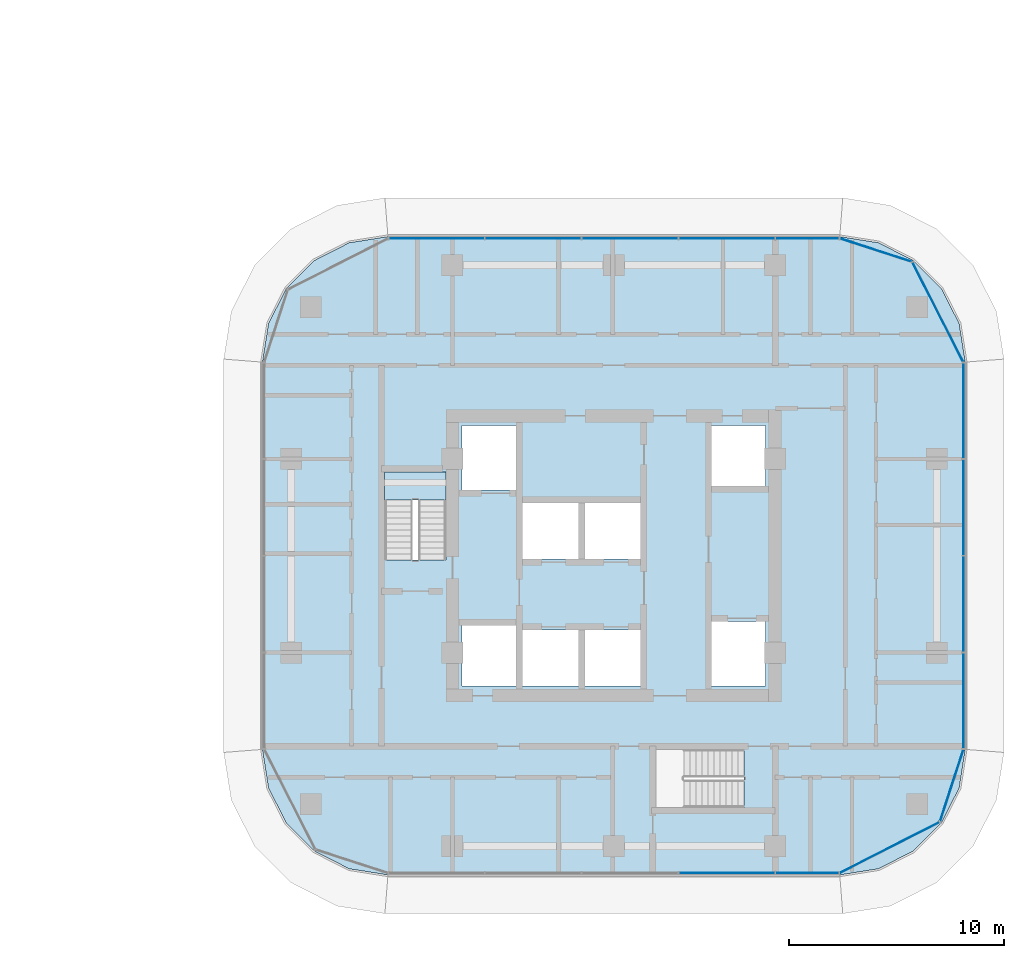
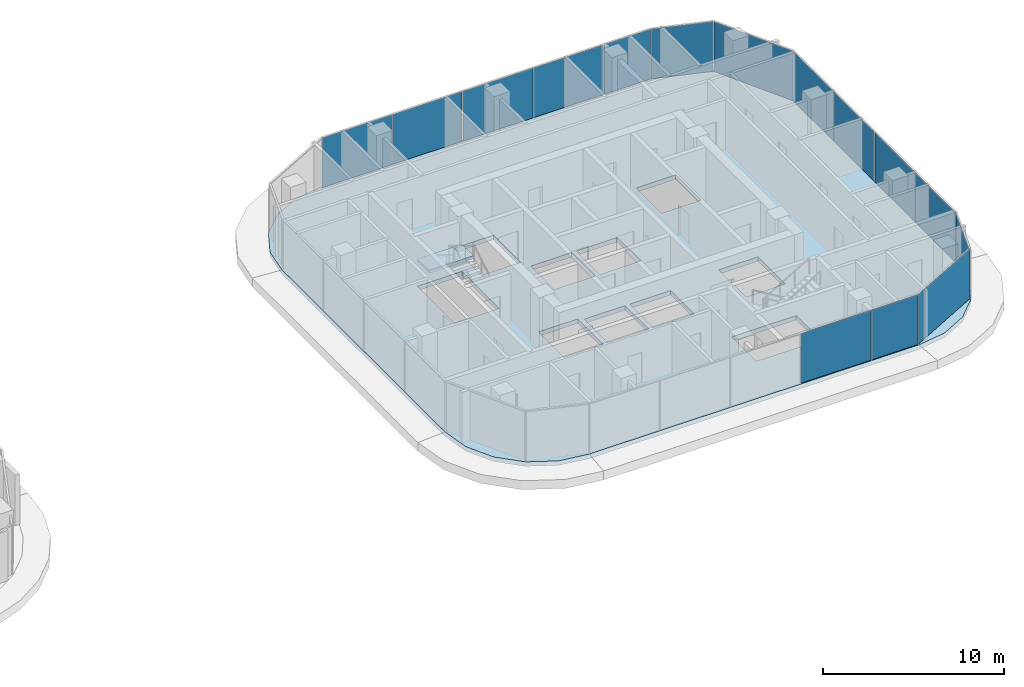
# One storey, part 18 of 39: 15 plates, 2 slabs, 6 elements without a shape of their own.
"""IFC4 building model written with IfcOpenShell, lengths in metres."""

import ifcopenshell
import ifcopenshell.guid

model = None  # the IFC model being written
_history = None  # IfcOwnerHistory: only IFC2X3 demands one
_inside = {}  # id of a spatial element -> (the spatial element, [elements in it])
_under = {}  # id of a project, library or spatial element -> (it, [spatial elements below it])
_declared = {}  # id of a project -> (the project, [libraries it declares])
_typed = {}  # id of a type object -> (the type object, [elements of that type])
_made_of = {}  # id of a material, layer set ... -> (it, [elements and type objects made of it])


def new_model(schema):
    """Start an empty IFC model of exactly this schema.

    Asked for "IFC4X3", IfcOpenShell would pick the latest addendum, in which some entities
    have other attributes; the version numbers below select the first issue.
    IFC2X3 requires an IfcOwnerHistory on every rooted entity: one is made here for all.
    """
    global model, _history
    if schema == "IFC4X3":
        model = ifcopenshell.file(schema_version=(4, 3, 0, 0))
    else:
        model = ifcopenshell.file(schema=schema)
    _inside.clear()
    _under.clear()
    _declared.clear()
    _typed.clear()
    _made_of.clear()
    _history = None
    if model.schema == "IFC2X3":
        org = make("IfcOrganization", Name="unknown")
        user = make(
            "IfcPersonAndOrganization",
            ThePerson=make("IfcPerson", FamilyName="unknown"),
            TheOrganization=org,
        )
        app = make(
            "IfcApplication",
            ApplicationDeveloper=org,
            Version="unknown",
            ApplicationFullName="unknown",
            ApplicationIdentifier="unknown",
        )
        _history = make(
            "IfcOwnerHistory",
            OwningUser=user,
            OwningApplication=app,
            ChangeAction="ADDED",
            CreationDate=0,
        )
    return model


def make(cls, **values):
    """One entity of the class cls with the attributes given. An attribute that is None is left unset."""
    return model.create_entity(
        cls, **{name: value for name, value in values.items() if value is not None}
    )


def rooted(cls, **values):
    """An entity with a GlobalId (a new one), such as an element, a storey or a relation."""
    return make(cls, GlobalId=ifcopenshell.guid.new(), OwnerHistory=_history, **values)


def si_unit(unit_type, name, prefix=None):
    """IfcSIUnit, for example si_unit("LENGTHUNIT", "METRE", prefix="MILLI")."""
    return make("IfcSIUnit", UnitType=unit_type, Prefix=prefix, Name=name)


def assignment(units):
    """IfcUnitAssignment: the units of a project."""
    return None if units is None else make("IfcUnitAssignment", Units=units)


def point(xyz):
    """IfcCartesianPoint."""
    return None if xyz is None else make("IfcCartesianPoint", Coordinates=xyz)


def direction(xyz):
    """IfcDirection."""
    return None if xyz is None else make("IfcDirection", DirectionRatios=xyz)


def frame(location, z_axis=None, x_axis=None):
    """IfcAxis2Placement3D, a coordinate frame: its origin and axes. An axis left out is left unset."""
    return make(
        "IfcAxis2Placement3D",
        Location=point(location),
        Axis=direction(z_axis),
        RefDirection=direction(x_axis),
    )


def frame_2d(location, x_axis=None):
    """IfcAxis2Placement2D, a coordinate frame in the plane: its origin and x axis."""
    return make(
        "IfcAxis2Placement2D", Location=point(location), RefDirection=direction(x_axis)
    )


def origin():
    """The frame at (0, 0, 0) with its axes left unset."""
    return frame((0.0, 0.0, 0.0))


def origin_2d():
    """The frame at (0, 0) in the plane with its x axis left unset."""
    return frame_2d((0.0, 0.0))


def place(relative_to, where):
    """IfcLocalPlacement: puts the frame where relative to a parent placement (None: the world)."""
    return make(
        "IfcLocalPlacement", PlacementRelTo=relative_to, RelativePlacement=where
    )


def context(
    kind, dimensions, precision=None, world=None, true_north=None, identifier=None
):
    """IfcGeometricRepresentationContext, for example the 3D "Model" context."""
    return make(
        "IfcGeometricRepresentationContext",
        ContextIdentifier=identifier,
        ContextType=kind,
        CoordinateSpaceDimension=dimensions,
        Precision=precision,
        WorldCoordinateSystem=world,
        TrueNorth=true_north,
    )


def subcontext(parent, identifier, kind, view, scale=None):
    """IfcGeometricRepresentationSubContext, for example "Body" below "Model"."""
    return make(
        "IfcGeometricRepresentationSubContext",
        ContextIdentifier=identifier,
        ContextType=kind,
        ParentContext=parent,
        TargetScale=scale,
        TargetView=view,
    )


def project(units=None, contexts=None):
    """IfcProject with its units and contexts."""
    return rooted(
        "IfcProject",
        Name="project",
        RepresentationContexts=contexts,
        UnitsInContext=assignment(units),
    )


def spatial(cls, under=None, at=None, **own):
    """A site, building, storey or space (cls), placed at a placement, below another one or the project."""
    s = rooted(cls, ObjectPlacement=at, **own)
    if under is not None:
        _under.setdefault(under.id(), (under, []))[1].append(s)
    return s


def polyline(points):
    """IfcPolyline through the points."""
    return make("IfcPolyline", Points=[point(p) for p in points])


def profile(cls, at=None, kind="AREA", **sizes):
    """A parametric profile (cls). Its sizes go by their IFC names, for example OverallWidth=200.0."""
    return make(cls, ProfileType=kind, Position=at, **sizes)


def rectangle(**sizes):
    """IfcRectangleProfileDef."""
    return profile("IfcRectangleProfileDef", **sizes)


def outline(outer, holes=None, kind="AREA"):
    """IfcArbitraryClosedProfileDef: a profile drawn as a closed curve; with holes, ...WithVoids."""
    if holes is None:
        return make("IfcArbitraryClosedProfileDef", ProfileType=kind, OuterCurve=outer)
    return make(
        "IfcArbitraryProfileDefWithVoids",
        ProfileType=kind,
        OuterCurve=outer,
        InnerCurves=holes,
    )


def extrude(swept, where, along, depth):
    """IfcExtrudedAreaSolid: the profile swept, set in the frame where, extruded along a direction by depth."""
    return make(
        "IfcExtrudedAreaSolid",
        SweptArea=swept,
        Position=where,
        ExtrudedDirection=direction(along),
        Depth=depth,
    )


def shape(context_of_items, identifier, shape_type, items):
    """IfcShapeRepresentation: the items that make up one representation, for example the "Body"."""
    return make(
        "IfcShapeRepresentation",
        ContextOfItems=context_of_items,
        RepresentationIdentifier=identifier,
        RepresentationType=shape_type,
        Items=items,
    )


def material(Name=None, Category=None):
    """IfcMaterial."""
    return make("IfcMaterial", Name=Name, Category=Category)


def layer(
    of_material, thickness, ventilated=None, Name=None, Category=None, Priority=None
):
    """IfcMaterialLayer: one layer of a wall or slab, of a material (None: an air gap)."""
    return make(
        "IfcMaterialLayer",
        Material=of_material,
        LayerThickness=thickness,
        IsVentilated=ventilated,
        Name=Name,
        Category=Category,
        Priority=Priority,
    )


def layer_set(layers, Name=None):
    """IfcMaterialLayerSet."""
    return make("IfcMaterialLayerSet", MaterialLayers=layers, LayerSetName=Name)


def made_of(thing, what):
    """Note that an element or type object is made of a material, layer set ...; save() writes the relation."""
    if what is not None:
        _made_of.setdefault(what.id(), (what, []))[1].append(thing)
    return thing


def type_object(cls, material=None, **own):
    """A type object (cls), such as IfcWallType, which elements share."""
    return made_of(rooted(cls, **own), material)


def element(
    cls,
    number,
    at=None,
    inside=None,
    cuts=None,
    type_object=None,
    material=None,
    context=None,
    identifier="Body",
    shape_type=None,
    held_by="IfcProductDefinitionShape",
    body=None,
    shapes=None,
    **own,
):
    """One element of the class cls, such as IfcWall. Its Tag is "e" and its number.

    at: its placement. inside: the storey or other place that contains it. cuts: it is an
    opening in that element (IfcRelVoidsElement). A single representation is given by context,
    identifier, shape_type and body (its items); several are given by shapes. held_by: the class
    of the entity that holds the representations. save() writes the other relations.
    """
    e = rooted(cls, Tag="e%d" % number, ObjectPlacement=at, **own)
    if body is not None:
        shapes = [shape(context, identifier, shape_type, body)]
    if shapes is not None:
        e.Representation = make(held_by, Representations=shapes)
    if inside is not None:
        _inside.setdefault(inside.id(), (inside, []))[1].append(e)
    if cuts is not None:
        rooted(
            "IfcRelVoidsElement", RelatingBuildingElement=cuts, RelatedOpeningElement=e
        )
    if type_object is not None:
        _typed.setdefault(type_object.id(), (type_object, []))[1].append(e)
    return made_of(e, material)


def aggregate(whole, parts):
    """IfcRelAggregates: a whole, such as a stair, and the parts it consists of."""
    return rooted("IfcRelAggregates", RelatingObject=whole, RelatedObjects=parts)


def save(model, path):
    """Write the relations noted so far, then the file.

    IfcRelAggregates (storeys below a building ...), IfcRelContainedInSpatialStructure (elements
    in a storey), IfcRelDefinesByType, IfcRelAssociatesMaterial and IfcRelDeclares: one each for
    every whole, place, type object, material and project.
    """
    for whole, parts in _under.values():
        aggregate(whole, parts)
    for where, things in _inside.values():
        rooted(
            "IfcRelContainedInSpatialStructure",
            RelatedElements=things,
            RelatingStructure=where,
        )
    for kind, things in _typed.values():
        rooted("IfcRelDefinesByType", RelatedObjects=things, RelatingType=kind)
    for what, things in _made_of.values():
        rooted("IfcRelAssociatesMaterial", RelatedObjects=things, RelatingMaterial=what)
    for by, libraries in _declared.values():
        rooted("IfcRelDeclares", RelatingContext=by, RelatedDefinitions=libraries)
    model.write(path)


model = new_model("IFC4")

# Units and contexts
model_context = context("Model", 3, precision=1e-05, world=origin(), true_north=direction((0.0, 1.0)))
body_context = subcontext(model_context, "Body", "Model", "MODEL_VIEW")
ifc_project = project(units=[si_unit("LENGTHUNIT", "METRE"), si_unit("AREAUNIT", "SQUARE_METRE"), si_unit("VOLUMEUNIT", "CUBIC_METRE"), si_unit("PLANEANGLEUNIT", "RADIAN"), si_unit("MASSUNIT", "GRAM", prefix="KILO")], contexts=[model_context])

# Site, building, storey
site_placement = place(None, origin())
site = spatial("IfcSite", under=ifc_project, at=site_placement, CompositionType="ELEMENT")
building_placement = place(site_placement, origin())
building = spatial("IfcBuilding", under=site, at=building_placement, Name="Ogive Portal Towers", CompositionType="ELEMENT")
storey_placement = place(building_placement, frame((0.0, 0.0, 44.60009765625)))
storey = spatial("IfcBuildingStorey", under=building, at=storey_placement, Name="L09", CompositionType="ELEMENT", Elevation=44.60009765625)

# Curtain wall, plates
ifc_material_1 = material(Name="Glass, clear low-iron insulated glazing", Category="glass")
curtain_wall_type = type_object("IfcCurtainWallType", Name="CW RESIDENCES RIBBON", PredefinedType="NOTDEFINED", material=ifc_material_1)
curtain_wall_1_placement = place(storey_placement, origin())
curtain_wall_1 = element("IfcCurtainWall", 1, at=curtain_wall_1_placement, inside=storey, type_object=curtain_wall_type, Name="B:L09:f02:cw0", PredefinedType="NOTDEFINED")
ifc_layer_1 = layer(ifc_material_1, 0.028076171875)
ifc_layer_set_1 = layer_set([ifc_layer_1], Name="CW PANEL IGU 28")
plate_type = type_object("IfcPlateType", Name="CW PANEL IGU 28", PredefinedType="CURTAIN_PANEL", material=ifc_layer_set_1)
plate_1_placement = place(storey_placement, frame((141.75, 16.2451171875, 0.0), z_axis=(0.0, 0.0, 1.0), x_axis=(1.0, 0.0, 0.0)))
plate_1 = element("IfcPlate", 2, at=plate_1_placement, type_object=plate_type, Name="panel", PredefinedType="CURTAIN_PANEL", context=body_context, shape_type="SweptSolid", body=[
    extrude(rectangle(XDim=4.43994140625, YDim=0.028076171875, at=origin_2d()), origin(), (0.0, 0.0, 1.0), 3.340087890625),
])
plate_2_placement = place(storey_placement, frame((145.490478515625, 16.2451171875, 0.0), z_axis=(0.0, 0.0, 1.0), x_axis=(1.0, 0.0, 0.0)))
plate_2 = element("IfcPlate", 3, at=plate_2_placement, type_object=plate_type, Name="panel", PredefinedType="CURTAIN_PANEL", context=body_context, shape_type="SweptSolid", body=[
    extrude(rectangle(XDim=2.9208984375, YDim=0.028076171875, at=origin_2d()), origin(), (0.0, 0.0, 1.0), 3.340087890625),
])
aggregate(curtain_wall_1, [plate_1, plate_2])

curtain_wall_2_placement = place(storey_placement, origin())
curtain_wall_2 = element("IfcCurtainWall", 4, at=curtain_wall_2_placement, inside=storey, type_object=curtain_wall_type, Name="B:L09:f05:cw0", PredefinedType="NOTDEFINED")
plate_3_placement = place(storey_placement, frame((152.7548828125, 24.25634765625, 0.0), z_axis=(0.0, 0.0, 1.0), x_axis=(0.0, 1.0, 0.0)))
plate_3 = element("IfcPlate", 5, at=plate_3_placement, type_object=plate_type, Name="panel", PredefinedType="CURTAIN_PANEL", context=body_context, shape_type="SweptSolid", body=[
    extrude(rectangle(XDim=4.42724609375, YDim=0.028076171875, at=origin_2d()), origin(), (0.0, 0.0, 1.0), 3.340087890625),
])
plate_4_placement = place(storey_placement, frame((152.7548828125, 28.75, 0.0), z_axis=(0.0, 0.0, 1.0), x_axis=(0.0, 1.0, 0.0)))
plate_4 = element("IfcPlate", 6, at=plate_4_placement, type_object=plate_type, Name="panel", PredefinedType="CURTAIN_PANEL", context=body_context, shape_type="SweptSolid", body=[
    extrude(rectangle(XDim=4.43994140625, YDim=0.028076171875, at=origin_2d()), origin(), (0.0, 0.0, 1.0), 3.340087890625),
])
plate_5_placement = place(storey_placement, frame((152.7548828125, 33.25, 0.0), z_axis=(0.0, 0.0, 1.0), x_axis=(0.0, 1.0, 0.0)))
plate_5 = element("IfcPlate", 7, at=plate_5_placement, type_object=plate_type, Name="panel", PredefinedType="CURTAIN_PANEL", context=body_context, shape_type="SweptSolid", body=[
    extrude(rectangle(XDim=4.43994140625, YDim=0.028076171875, at=origin_2d()), origin(), (0.0, 0.0, 1.0), 3.340087890625),
])
plate_6_placement = place(storey_placement, frame((152.7548828125, 37.740478515625, 0.0), z_axis=(0.0, 0.0, 1.0), x_axis=(0.0, 1.0, 0.0)))
plate_6 = element("IfcPlate", 8, at=plate_6_placement, type_object=plate_type, Name="panel", PredefinedType="CURTAIN_PANEL", context=body_context, shape_type="SweptSolid", body=[
    extrude(rectangle(XDim=4.4208984375, YDim=0.028076171875, at=origin_2d()), origin(), (0.0, 0.0, 1.0), 3.340087890625),
])
aggregate(curtain_wall_2, [plate_3, plate_4, plate_5, plate_6])

curtain_wall_3_placement = place(storey_placement, origin())
curtain_wall_3 = element("IfcCurtainWall", 9, at=curtain_wall_3_placement, inside=storey, type_object=curtain_wall_type, Name="B:L09:f08:cw0", PredefinedType="NOTDEFINED")
plate_7_placement = place(storey_placement, frame((145.49365234375, 45.7548828125, 0.0), z_axis=(0.0, 0.0, 1.0), x_axis=(-1.0, 0.0, 0.0)))
plate_7 = element("IfcPlate", 10, at=plate_7_placement, type_object=plate_type, Name="panel", PredefinedType="CURTAIN_PANEL", context=body_context, shape_type="SweptSolid", body=[
    extrude(rectangle(XDim=2.92724609375, YDim=0.028076171875, at=origin_2d()), origin(), (0.0, 0.0, 1.0), 3.340087890625),
])
plate_8_placement = place(storey_placement, frame((141.75, 45.7548828125, 0.0), z_axis=(0.0, 0.0, 1.0), x_axis=(-1.0, 0.0, 0.0)))
plate_8 = element("IfcPlate", 11, at=plate_8_placement, type_object=plate_type, Name="panel", PredefinedType="CURTAIN_PANEL", context=body_context, shape_type="SweptSolid", body=[
    extrude(rectangle(XDim=4.43994140625, YDim=0.028076171875, at=origin_2d()), origin(), (0.0, 0.0, 1.0), 3.340087890625),
])
plate_9_placement = place(storey_placement, frame((137.25, 45.7548828125, 0.0), z_axis=(0.0, 0.0, 1.0), x_axis=(-1.0, 0.0, 0.0)))
plate_9 = element("IfcPlate", 12, at=plate_9_placement, type_object=plate_type, Name="panel", PredefinedType="CURTAIN_PANEL", context=body_context, shape_type="SweptSolid", body=[
    extrude(rectangle(XDim=4.43994140625, YDim=0.028076171875, at=origin_2d()), origin(), (0.0, 0.0, 1.0), 3.340087890625),
])
plate_10_placement = place(storey_placement, frame((132.75, 45.7548828125, 0.0), z_axis=(0.0, 0.0, 1.0), x_axis=(-1.0, 0.0, 0.0)))
plate_10 = element("IfcPlate", 13, at=plate_10_placement, type_object=plate_type, Name="panel", PredefinedType="CURTAIN_PANEL", context=body_context, shape_type="SweptSolid", body=[
    extrude(rectangle(XDim=4.43994140625, YDim=0.028076171875, at=origin_2d()), origin(), (0.0, 0.0, 1.0), 3.340087890625),
])
plate_11_placement = place(storey_placement, frame((128.259521484375, 45.7548828125, 0.0), z_axis=(0.0, 0.0, 1.0), x_axis=(-1.0, 0.0, 0.0)))
plate_11 = element("IfcPlate", 14, at=plate_11_placement, type_object=plate_type, Name="panel", PredefinedType="CURTAIN_PANEL", context=body_context, shape_type="SweptSolid", body=[
    extrude(rectangle(XDim=4.4208984375, YDim=0.028076171875, at=origin_2d()), origin(), (0.0, 0.0, 1.0), 3.340087890625),
])
aggregate(curtain_wall_3, [plate_7, plate_8, plate_9, plate_10, plate_11])

curtain_wall_4_placement = place(storey_placement, origin())
curtain_wall_4 = element("IfcCurtainWall", 15, at=curtain_wall_4_placement, inside=storey, type_object=curtain_wall_type, Name="B:L09:f03:cwa", PredefinedType="NOTDEFINED")
plate_12_placement = place(storey_placement, frame((149.31787109375, 17.435791015625, 0.0), z_axis=(0.0, 0.0, 1.0), x_axis=(0.891006524188, 0.45399049974, 0.0)))
plate_12 = element("IfcPlate", 16, at=plate_12_placement, type_object=plate_type, Name="panel", PredefinedType="CURTAIN_PANEL", context=body_context, shape_type="SweptSolid", body=[
    extrude(rectangle(XDim=5.185791015625, YDim=0.028076171875, at=origin_2d()), origin(), (0.0, 0.0, 1.0), 3.340087890625),
])
plate_13_placement = place(storey_placement, frame((152.204833984375, 20.319580078125, 0.0), z_axis=(0.0, 0.0, 1.0), x_axis=(0.309016994375, 0.951056516295, 0.0)))
plate_13 = element("IfcPlate", 17, at=plate_13_placement, type_object=plate_type, Name="panel", PredefinedType="CURTAIN_PANEL", context=body_context, shape_type="SweptSolid", body=[
    extrude(rectangle(XDim=3.50048828125, YDim=0.028076171875, at=origin_2d()), origin(), (0.0, 0.0, 1.0), 3.340087890625),
])
aggregate(curtain_wall_4, [plate_12, plate_13])

curtain_wall_5_placement = place(storey_placement, origin())
curtain_wall_5 = element("IfcCurtainWall", 18, at=curtain_wall_5_placement, inside=storey, type_object=curtain_wall_type, Name="B:L09:f06:cwa", PredefinedType="NOTDEFINED")
plate_14_placement = place(storey_placement, frame((151.564208984375, 42.31787109375, 0.0), z_axis=(0.0, 0.0, 1.0), x_axis=(-0.45399049974, 0.891006524188, 0.0)))
plate_14 = element("IfcPlate", 19, at=plate_14_placement, type_object=plate_type, Name="panel", PredefinedType="CURTAIN_PANEL", context=body_context, shape_type="SweptSolid", body=[
    extrude(rectangle(XDim=5.185791015625, YDim=0.028076171875, at=origin_2d()), origin(), (0.0, 0.0, 1.0), 3.340087890625),
])
plate_15_placement = place(storey_placement, frame((148.680419921875, 45.204833984375, 0.0), z_axis=(0.0, 0.0, 1.0), x_axis=(-0.951056516295, 0.309016994375, 0.0)))
plate_15 = element("IfcPlate", 20, at=plate_15_placement, type_object=plate_type, Name="panel", PredefinedType="CURTAIN_PANEL", context=body_context, shape_type="SweptSolid", body=[
    extrude(rectangle(XDim=3.50048828125, YDim=0.028076171875, at=origin_2d()), origin(), (0.0, 0.0, 1.0), 3.340087890625),
])
aggregate(curtain_wall_5, [plate_14, plate_15])

# Stair, slab
ifc_material_2 = material(Name="Concrete C40/50", Category="concrete")
stair_type = type_object("IfcStairType", Name="INT-STAIR", PredefinedType="HALF_TURN_STAIR", material=ifc_material_2)
stair_placement = place(storey_placement, origin())
stair = element("IfcStair", 21, at=stair_placement, inside=storey, type_object=stair_type, Name="L09 Exit Stair ST-B1", PredefinedType="HALF_TURN_STAIR")
ifc_layer_2 = layer(ifc_material_2, 0.199951171875)
ifc_layer_set_2 = layer_set([ifc_layer_2], Name="INT-LANDING")
slab_type_1 = type_object("IfcSlabType", Name="INT-LANDING", PredefinedType="LANDING", material=ifc_layer_set_2)
slab_1_placement = place(storey_placement, frame((0.0, 0.0, 1.64990234375)))
slab_1 = element("IfcSlab", 22, at=slab_1_placement, type_object=slab_type_1, Name="ST-B1 landing 1", PredefinedType="LANDING", context=body_context, shape_type="SweptSolid", body=[
    extrude(outline(polyline([(128.699951171875, 33.60009765625), (128.699951171875, 34.89990234375), (125.85009765625, 34.89990234375), (125.85009765625, 33.60009765625), (128.699951171875, 33.60009765625)])), origin(), (0.0, 0.0, 1.0), 0.199951171875),
])
aggregate(stair, [slab_1])

# Slab
ifc_material_3 = material(Name="Concrete C45/55", Category="concrete")
ifc_layer_3 = layer(ifc_material_3, 0.300048828125)
ifc_layer_set_3 = layer_set([ifc_layer_3], Name="PT FLAT PLATE 300")
slab_type_2 = type_object("IfcSlabType", Name="PT FLAT PLATE 300", PredefinedType="FLOOR", material=ifc_layer_set_3)
slab_2_placement = place(storey_placement, frame((0.0, 0.0, -0.300048828125)))
element("IfcSlab", 23, at=slab_2_placement, inside=storey, type_object=slab_type_2, Name="Floor slab L09", PredefinedType="FLOOR", context=body_context, shape_type="SweptSolid", body=[
    extrude(outline(polyline([(120.1650390625, 40.0), (120.1650390625, 22.0), (120.45068359375, 20.197021484375), (121.279296875, 18.5703125), (122.5703125, 17.279296875), (124.197021484375, 16.45068359375), (126.0, 16.1650390625), (147.0, 16.1650390625), (148.802978515625, 16.45068359375), (150.4296875, 17.279296875), (151.720703125, 18.5703125), (152.54931640625, 20.197021484375), (152.8349609375, 22.0), (152.8349609375, 40.0), (152.54931640625, 41.802978515625), (151.720703125, 43.4296875), (150.4296875, 44.720703125), (148.802978515625, 45.54931640625), (147.0, 45.8349609375), (126.0, 45.8349609375), (124.197021484375, 45.54931640625), (122.5703125, 44.720703125), (121.279296875, 43.4296875), (120.45068359375, 41.802978515625), (120.1650390625, 40.0)]), holes=[polyline([(131.949951171875, 27.75), (131.949951171875, 24.949951171875), (129.449951171875, 24.949951171875), (129.449951171875, 27.75), (131.949951171875, 27.75)]), polyline([(128.697998046875, 34.89794921875), (128.697998046875, 30.802001953125), (125.85205078125, 30.802001953125), (125.85205078125, 34.89794921875), (128.697998046875, 34.89794921875)]), polyline([(131.949951171875, 37.050048828125), (131.949951171875, 34.050048828125), (129.449951171875, 34.050048828125), (129.449951171875, 37.050048828125), (131.949951171875, 37.050048828125)]), polyline([(138.451904296875, 21.998046875), (142.548095703125, 21.998046875), (142.548095703125, 19.302001953125), (138.451904296875, 19.302001953125), (138.451904296875, 21.998046875)]), polyline([(134.85009765625, 27.550048828125), (134.85009765625, 24.949951171875), (132.25, 24.949951171875), (132.25, 27.550048828125), (134.85009765625, 27.550048828125)]), polyline([(137.75, 27.550048828125), (137.75, 24.949951171875), (135.14990234375, 24.949951171875), (135.14990234375, 27.550048828125), (137.75, 27.550048828125)]), polyline([(143.550048828125, 27.949951171875), (143.550048828125, 24.949951171875), (141.050048828125, 24.949951171875), (141.050048828125, 27.949951171875), (143.550048828125, 27.949951171875)]), polyline([(134.85009765625, 33.449951171875), (134.85009765625, 30.85009765625), (132.25, 30.85009765625), (132.25, 33.449951171875), (134.85009765625, 33.449951171875)]), polyline([(137.75, 33.449951171875), (137.75, 30.85009765625), (135.14990234375, 30.85009765625), (135.14990234375, 33.449951171875), (137.75, 33.449951171875)]), polyline([(141.050048828125, 37.050048828125), (143.550048828125, 37.050048828125), (143.550048828125, 34.25), (141.050048828125, 34.25), (141.050048828125, 37.050048828125)])]), origin(), (0.0, 0.0, 1.0), 0.300048828125),
])

save(model, "model.ifc")
